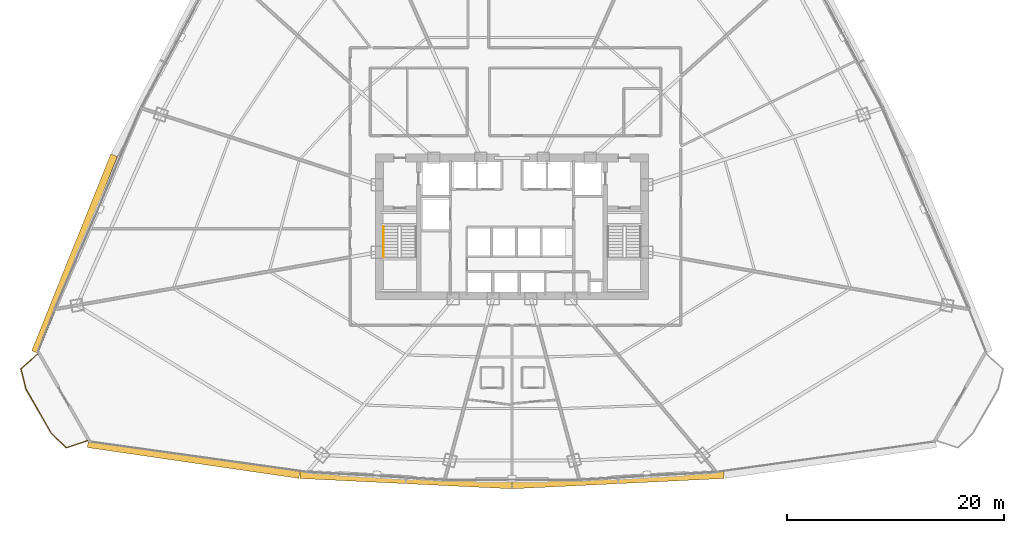
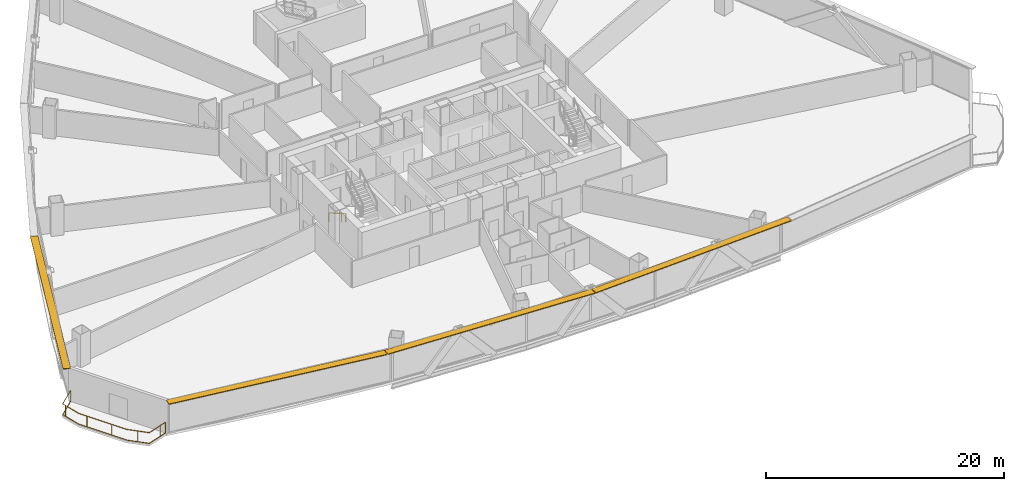
# One storey, part 35 of 38: 4 shading devices, 2 railings.
"""IFC4 building model written with IfcOpenShell, lengths in metres."""

from ifc_helpers import new_model, si_unit, direction, frame, origin, origin_2d, place, context, subcontext, project, spatial, rectangle, extrude, source, transform, mapped, material, layer, layer_set, type_object, element, save


model = new_model("IFC4")

# Units and contexts
model_context = context("Model", 3, precision=1e-05, world=origin(), true_north=direction((0.0, 1.0)))
body_context = subcontext(model_context, "Body", "Model", "MODEL_VIEW")
ifc_project = project(units=[si_unit("LENGTHUNIT", "METRE"), si_unit("AREAUNIT", "SQUARE_METRE"), si_unit("VOLUMEUNIT", "CUBIC_METRE"), si_unit("PLANEANGLEUNIT", "RADIAN"), si_unit("MASSUNIT", "GRAM", prefix="KILO"), si_unit("THERMODYNAMICTEMPERATUREUNIT", "KELVIN"), si_unit("POWERUNIT", "WATT")], contexts=[model_context])

# Site, building, storey
site_placement = place(None, origin())
site = spatial("IfcSite", under=ifc_project, at=site_placement, CompositionType="ELEMENT")
building_placement = place(site_placement, origin())
building = spatial("IfcBuilding", under=site, at=building_placement, Name="Yunzhuo Pagoda Commons", CompositionType="ELEMENT")
storey_placement = place(building_placement, frame((0.0, 0.0, 37.659912109375)))
storey = spatial("IfcBuildingStorey", under=building, at=storey_placement, Name="L09", CompositionType="ELEMENT", Elevation=37.659912109375)

# Railings
ifc_material = material(Name="Anodized aluminium 6063-T6", Category="aluminium")
railing_type_1 = type_object("IfcRailingType", Name="HR-ST1 Stair Handrail 900", PredefinedType="HANDRAIL", material=ifc_material)
railing_1_placement = place(storey_placement, frame((36.14990234375, 33.89990234375, 0.1650390625)))
element("IfcRailing", 1, at=railing_1_placement, inside=storey, type_object=railing_type_1, Name="L09 ST1 stair handrail 1", PredefinedType="HANDRAIL", context=body_context, shape_type="SweptSolid", body=[
    extrude(rectangle(XDim=0.048095703125, YDim=0.048095703125, at=origin_2d()), frame((0.0, 0.0, 0.8759765625), z_axis=(0.0, -0.861503254194, 0.507752048753), x_axis=(1.0, 0.0, 0.0)), (0.0, 0.0, 1.0), 3.25),
    extrude(rectangle(XDim=0.0419921875, YDim=0.0419921875, at=origin_2d()), origin(), (0.0, 0.0, 1.0), 0.851806640625),
    extrude(rectangle(XDim=0.0419921875, YDim=0.0419921875, at=origin_2d()), frame((0.0, -2.067626953125, 1.218505859375)), (0.0, 0.0, 1.0), 0.851806640625),
    extrude(rectangle(XDim=0.0419921875, YDim=0.0419921875, at=origin_2d()), frame((0.0, -2.7998046875, 1.650146484375)), (0.0, 0.0, 1.0), 0.851806640625),
])
railing_type_2 = type_object("IfcRailingType", Name="RL-BAL1 Exterior Terrace & Balcony Balustrade 1150", PredefinedType="BALUSTRADE", material=ifc_material)
railing_2_placement = place(storey_placement, frame((4.3310546875, 22.15283203125, 0.0)))
element("IfcRailing", 2, at=railing_2_placement, inside=storey, type_object=railing_type_2, Name="L09 corner balcony balustrade V1", PredefinedType="BALUSTRADE", context=body_context, shape_type="SweptSolid", body=[
    extrude(rectangle(XDim=0.048095703125, YDim=0.048095703125, at=origin_2d()), frame((0.0, 0.0, 1.1259765625), z_axis=(-0.753992555518, -0.656882962348, 0.0), x_axis=(0.656882962348, -0.753992555518, 0.0)), (0.0, 0.0, 1.0), 2.05908203125),
    extrude(rectangle(XDim=0.048095703125, YDim=0.048095703125, at=origin_2d()), frame((0.0, 0.0, 0.02392578125), z_axis=(-0.753992555518, -0.656882962348, 0.0), x_axis=(0.656882962348, -0.753992555518, 0.0)), (0.0, 0.0, 1.0), 2.05908203125),
    extrude(rectangle(XDim=0.048095703125, YDim=0.048095703125, at=origin_2d()), frame((-1.552490234375, -1.3525390625, 1.1259765625), z_axis=(0.241437285423, -0.970416424638, 0.0), x_axis=(0.970416424638, 0.241437285423, 0.0)), (0.0, 0.0, 1.0), 1.935546875),
    extrude(rectangle(XDim=0.048095703125, YDim=0.048095703125, at=origin_2d()), frame((-1.552490234375, -1.3525390625, 0.02392578125), z_axis=(0.241437285423, -0.970416424638, 0.0), x_axis=(0.970416424638, 0.241437285423, 0.0)), (0.0, 0.0, 1.0), 1.935546875),
    extrude(rectangle(XDim=0.048095703125, YDim=0.048095703125, at=origin_2d()), frame((-1.085205078125, -3.230712890625, 1.1259765625), z_axis=(0.497917619796, -0.867224333086, 0.0), x_axis=(0.867224333086, 0.497917619796, 0.0)), (0.0, 0.0, 1.0), 4.68310546875),
    extrude(rectangle(XDim=0.048095703125, YDim=0.048095703125, at=origin_2d()), frame((-1.085205078125, -3.230712890625, 0.02392578125), z_axis=(0.497917619796, -0.867224333086, 0.0), x_axis=(0.867224333086, 0.497917619796, 0.0)), (0.0, 0.0, 1.0), 4.68310546875),
    extrude(rectangle(XDim=0.048095703125, YDim=0.048095703125, at=origin_2d()), frame((1.24658203125, -7.2919921875, 1.1259765625), z_axis=(0.716379924968, -0.697710400598, 0.0), x_axis=(0.697710400598, 0.716379924968, 0.0)), (0.0, 0.0, 1.0), 1.935302734375),
    extrude(rectangle(XDim=0.048095703125, YDim=0.048095703125, at=origin_2d()), frame((1.24658203125, -7.2919921875, 0.02392578125), z_axis=(0.716379924968, -0.697710400598, 0.0), x_axis=(0.697710400598, 0.716379924968, 0.0)), (0.0, 0.0, 1.0), 1.935302734375),
    extrude(rectangle(XDim=0.048095703125, YDim=0.048095703125, at=origin_2d()), frame((2.633056640625, -8.642333984375, 1.1259765625), z_axis=(0.947419062147, 0.319995501031, 0.0), x_axis=(-0.319995501031, 0.947419062147, 0.0)), (0.0, 0.0, 1.0), 2.05908203125),
    extrude(rectangle(XDim=0.048095703125, YDim=0.048095703125, at=origin_2d()), frame((2.633056640625, -8.642333984375, 0.02392578125), z_axis=(0.947419062147, 0.319995501031, 0.0), x_axis=(-0.319995501031, 0.947419062147, 0.0)), (0.0, 0.0, 1.0), 2.05908203125),
    extrude(rectangle(XDim=0.0419921875, YDim=0.0419921875, at=origin_2d()), origin(), (0.0, 0.0, 1.0), 1.101806640625),
    extrude(rectangle(XDim=0.0419921875, YDim=0.0419921875, at=origin_2d()), frame((-1.47021484375, -1.683349609375, 0.0)), (0.0, 0.0, 1.0), 1.101806640625),
    extrude(rectangle(XDim=0.0419921875, YDim=0.0419921875, at=origin_2d()), frame((-0.68408203125, -3.92919921875, 0.0)), (0.0, 0.0, 1.0), 1.101806640625),
    extrude(rectangle(XDim=0.0419921875, YDim=0.0419921875, at=origin_2d()), frame((0.510986328125, -6.0107421875, 0.0)), (0.0, 0.0, 1.0), 1.101806640625),
    extrude(rectangle(XDim=0.0419921875, YDim=0.0419921875, at=origin_2d()), frame((1.907470703125, -7.935546875, 0.0)), (0.0, 0.0, 1.0), 1.101806640625),
    extrude(rectangle(XDim=0.0419921875, YDim=0.0419921875, at=origin_2d()), frame((3.947265625, -8.198486328125, 0.0)), (0.0, 0.0, 1.0), 1.101806640625),
    extrude(rectangle(XDim=0.0419921875, YDim=0.0419921875, at=origin_2d()), frame((4.583984375, -7.9833984375, 0.0)), (0.0, 0.0, 1.0), 1.101806640625),
])

# Shading devices
ifc_layer = layer(ifc_material, 0.080078125)
ifc_layer_set = layer_set([ifc_layer], Name="Anodized aluminium 6063-T6")
shading_device_type = type_object("IfcShadingDeviceType", Name="SH-SUN1 Pagoda Horizontal Sunshade Eave 650", PredefinedType="USERDEFINED", material=ifc_layer_set)
shared_shape_1 = source(origin(), body_context, "Body", "SweptSolid", [
    extrude(rectangle(XDim=19.689453125, YDim=0.64990234375, at=origin_2d()), origin(), (0.0, 0.0, 1.0), 0.080078125),
])
shading_device_1_placement = place(storey_placement, frame((18.681396484375, 12.4375, 3.2900390625), z_axis=(0.0, 0.0, 1.0), x_axis=(0.989510666697, -0.144459823108, 0.0)))
element("IfcShadingDevice", 3, at=shading_device_1_placement, inside=storey, type_object=shading_device_type, Name="L09 horizontal pagoda sunshade eave F1.1", ObjectType="SUNSHADE", PredefinedType="USERDEFINED", context=body_context, shape_type="MappedRepresentation", body=[
    mapped(shared_shape_1, transform((0.0, 0.0, 0.0), scale=1.0)),
])
shared_shape_2 = source(origin(), body_context, "Body", "SweptSolid", [
    extrude(rectangle(XDim=19.505615234375, YDim=0.64990234375, at=origin_2d()), origin(), (0.0, 0.0, 1.0), 0.080078125),
])
for number, where, z_axis, x_axis, name in (
    (4, (38.22705078125, 10.535400390625, 3.2900390625), (0.0, 0.0, 1.0), (0.998818043775, -0.04860571396, 0.0), "L09 horizontal pagoda sunshade eave F1.2"),
    (5, (57.77294921875, 10.535400390625, 3.2900390625), (0.0, 0.0, 1.0), (0.998818043775, 0.04860571396, 0.0), "L09 horizontal pagoda sunshade eave F1.3"),
):
    element("IfcShadingDevice", number, at=place(storey_placement, frame(where, z_axis=z_axis, x_axis=x_axis)), inside=storey, type_object=shading_device_type, Name=name, ObjectType="SUNSHADE", PredefinedType="USERDEFINED", context=body_context, shape_type="MappedRepresentation", body=[
        mapped(shared_shape_2, transform((0.0, 0.0, 0.0), scale=1.0)),
    ])
shared_shape_3 = source(origin(), body_context, "Body", "SweptSolid", [
    extrude(rectangle(XDim=19.53125, YDim=0.64990234375, at=origin_2d()), origin(), (0.0, 0.0, 1.0), 0.080078125),
])
shading_device_2_placement = place(storey_placement, frame((7.718505859375, 31.391357421875, 3.2900390625), z_axis=(0.0, 0.0, 1.0), x_axis=(-0.372987782576, -0.927836253899, 0.0)))
element("IfcShadingDevice", 6, at=shading_device_2_placement, inside=storey, type_object=shading_device_type, Name="L09 horizontal pagoda sunshade eave F3.4", ObjectType="SUNSHADE", PredefinedType="USERDEFINED", context=body_context, shape_type="MappedRepresentation", body=[
    mapped(shared_shape_3, transform((0.0, 0.0, 0.0), scale=1.0)),
])

save(model, "model.ifc")
